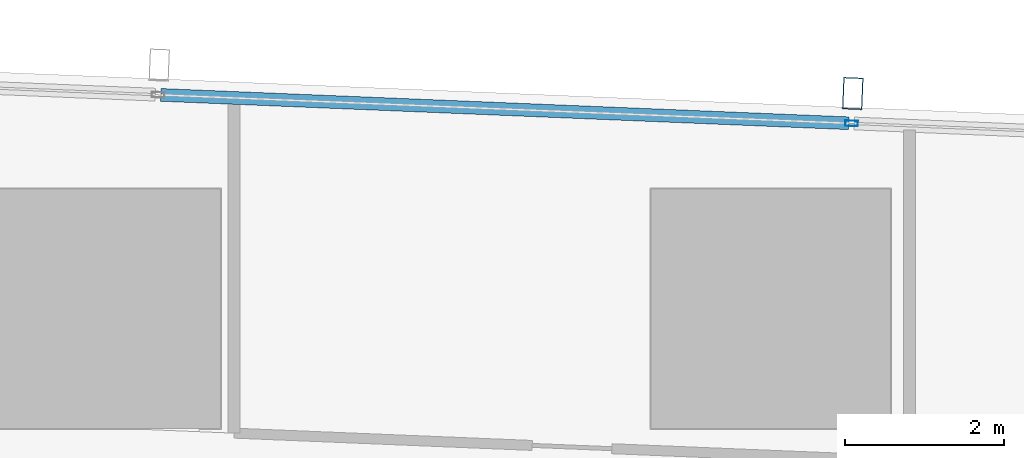
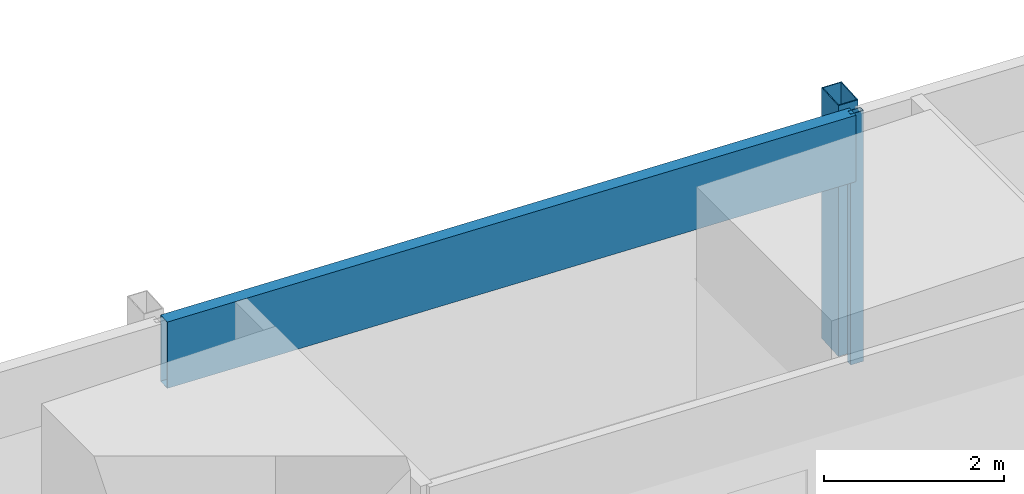
# One storey, part 22 of 44: 3 members, 1 element without a shape of its own.
"""IFC4 building model written with IfcOpenShell, lengths in metres."""

from ifc_helpers import new_model, si_unit, direction, frame, origin, origin_2d, place, context, subcontext, project, spatial, hollow_rectangle, extrude, material, material_profile, profile_set, type_object, element, aggregate, save


model = new_model("IFC4")

# Units and contexts
model_context = context("Model", 3, precision=1e-05, world=origin(), true_north=direction((0.0, 1.0)))
body_context = subcontext(model_context, "Body", "Model", "MODEL_VIEW")
ifc_project = project(units=[si_unit("LENGTHUNIT", "METRE"), si_unit("AREAUNIT", "SQUARE_METRE"), si_unit("VOLUMEUNIT", "CUBIC_METRE"), si_unit("PLANEANGLEUNIT", "RADIAN"), si_unit("MASSUNIT", "GRAM", prefix="KILO")], contexts=[model_context])

# Site, building, storey
site_placement = place(None, origin())
site = spatial("IfcSite", under=ifc_project, at=site_placement, CompositionType="ELEMENT")
building_placement = place(site_placement, origin())
building = spatial("IfcBuilding", under=site, at=building_placement, Name="Rekha Terrace Tower", CompositionType="ELEMENT")
storey_placement = place(building_placement, frame((0.0, 0.0, 81.64990234375)))
storey = spatial("IfcBuildingStorey", under=building, at=storey_placement, Name="L20", CompositionType="ELEMENT", Elevation=81.64990234375)

# Curtain wall, members
ifc_material_1 = material(Name="Aluminium framing", Category="aluminium")
curtain_wall_type = type_object("IfcCurtainWallType", Name="CW3 north unitised glazing", PredefinedType="USERDEFINED", material=ifc_material_1)
curtain_wall_placement = place(storey_placement, origin())
curtain_wall = element("IfcCurtainWall", 1, at=curtain_wall_placement, inside=storey, type_object=curtain_wall_type, Name="CW3 unitised curtain wall", ObjectType="UNITISED CURTAIN WALL", PredefinedType="USERDEFINED")
ifc_material_2 = material(Name="Steel S355 with fluorocarbon finish", Category="steel")
ifc_material_profile_1 = material_profile(ifc_material_2, hollow_rectangle(XDim=0.25, YDim=0.39990234375, WallThickness=0.012451171875, at=origin_2d()), Name="RHS400x250x12.5")
ifc_profile_set_1 = profile_set([ifc_material_profile_1], Name="Steel S355 with fluorocarbon finish")
member_type_1 = type_object("IfcMemberType", Name="BL1 facade blade RHS 400 x 250", PredefinedType="USERDEFINED", material=ifc_profile_set_1)
member_1_placement = place(storey_placement, frame((51.430419921875, 61.499267578125, 0.0), z_axis=(0.0, 0.0, 1.0), x_axis=(-0.99915196507, 0.041174636562, 0.0)))
member_1 = element("IfcMember", 2, at=member_1_placement, type_object=member_type_1, Name="Facade blade", ObjectType="FACADE BLADE", PredefinedType="USERDEFINED", context=body_context, shape_type="SweptSolid", body=[
    extrude(hollow_rectangle(XDim=0.25, YDim=0.39990234375, WallThickness=0.012451171875, at=origin_2d()), origin(), (0.0, 0.0, 1.0), 3.400146484375),
])
ifc_material_3 = material(Name="Aluminium mullion section", Category="aluminium")
ifc_material_profile_2 = material_profile(ifc_material_3, hollow_rectangle(XDim=0.070068359375, YDim=0.159912109375, WallThickness=0.00390625, at=origin_2d()), Name="AL RHS 70x160")
ifc_profile_set_2 = profile_set([ifc_material_profile_2], Name="Aluminium mullion section")
member_type_2 = type_object("IfcMemberType", Name="CW3 mullion RHS 70 x 160", PredefinedType="MULLION", material=ifc_profile_set_2)
member_2_placement = place(storey_placement, frame((51.4150390625, 61.12451171875, 0.0), z_axis=(0.0, 0.0, 1.0), x_axis=(-0.041173846041, -0.999151997647, 0.0)))
member_2 = element("IfcMember", 3, at=member_2_placement, type_object=member_type_2, Name="CW3 mullion 3", PredefinedType="MULLION", context=body_context, shape_type="SweptSolid", body=[
    extrude(hollow_rectangle(XDim=0.070068359375, YDim=0.159912109375, WallThickness=0.00390625, at=origin_2d()), origin(), (0.0, 0.0, 1.0), 3.400146484375),
])
ifc_material_4 = material(Name="Insulated aluminium spandrel box", Category="aluminium")
ifc_material_profile_3 = material_profile(ifc_material_4, hollow_rectangle(XDim=0.159912109375, YDim=0.89990234375, WallThickness=0.0029296875, at=origin_2d()), Name="AL SPANDREL BOX 160x900")
ifc_profile_set_3 = profile_set([ifc_material_profile_3], Name="Insulated aluminium spandrel box")
member_type_3 = type_object("IfcMemberType", Name="CW3 spandrel transom 160 x 900", PredefinedType="USERDEFINED", material=ifc_profile_set_3)
member_3_placement = place(storey_placement, frame((51.380126953125, 61.1259765625, 2.9501953125), z_axis=(-0.999152128669, 0.041170666459, 0.0), x_axis=(-0.041170666459, -0.999152128669, 0.0)))
member_3 = element("IfcMember", 4, at=member_3_placement, type_object=member_type_3, Name="CW3 spandrel transom 3", ObjectType="TRANSOM", PredefinedType="USERDEFINED", context=body_context, shape_type="SweptSolid", body=[
    extrude(hollow_rectangle(XDim=0.159912109375, YDim=0.89990234375, WallThickness=0.0029296875, at=origin_2d()), origin(), (0.0, 0.0, 1.0), 8.634033203125),
])
aggregate(curtain_wall, [member_2, member_3, member_1])

save(model, "model.ifc")
